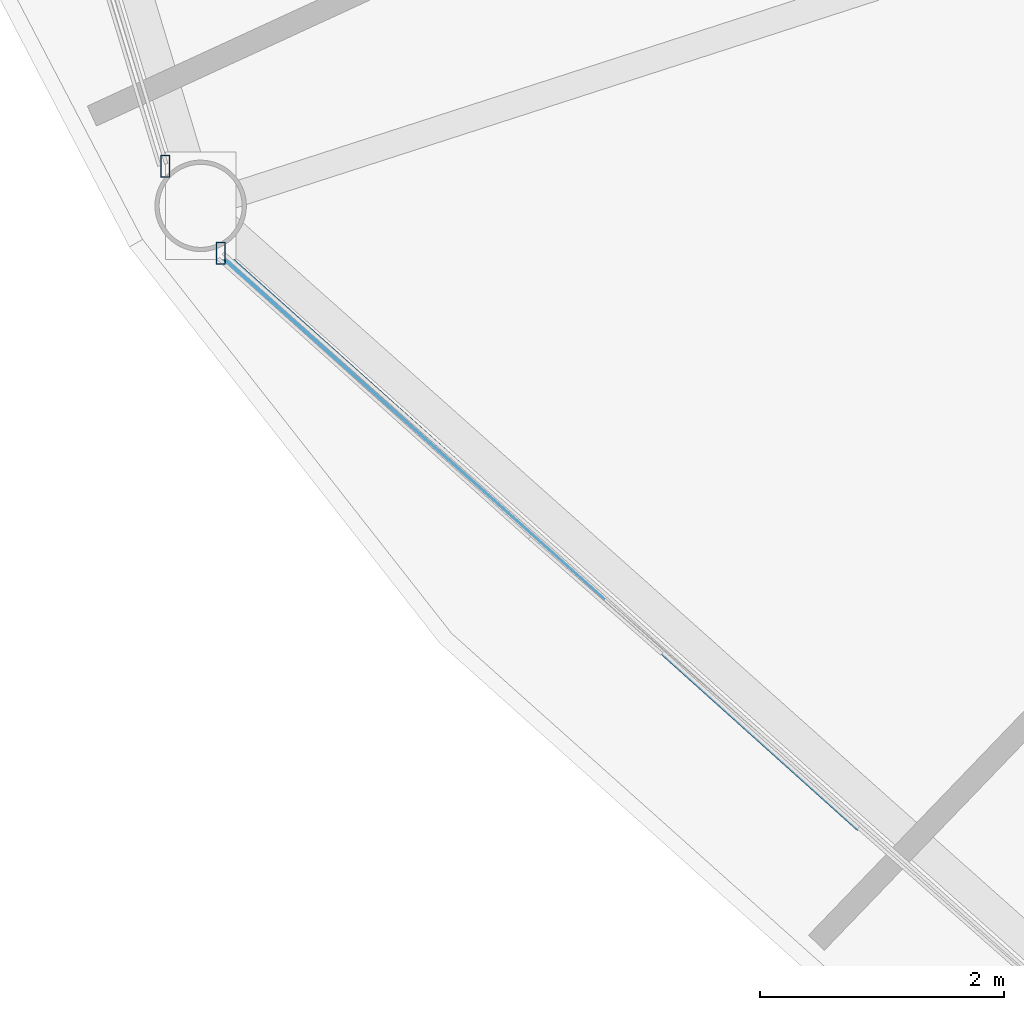
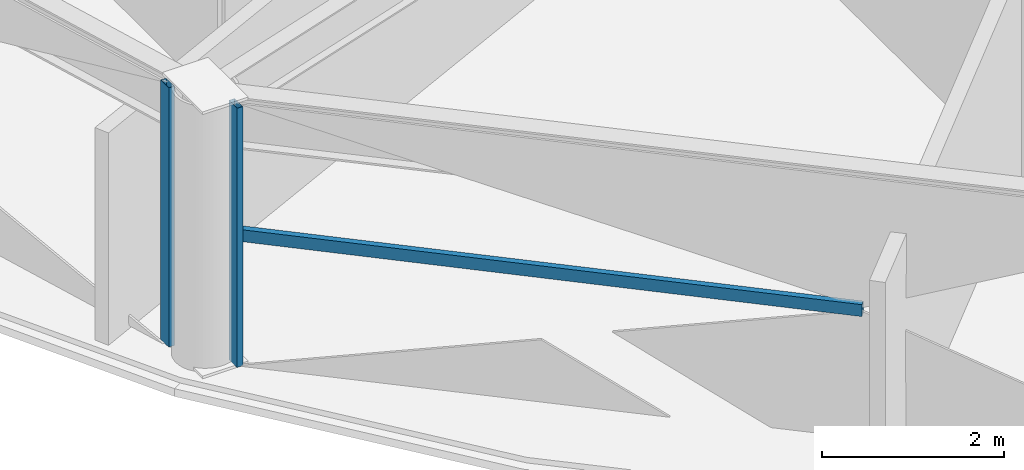
# One storey, part 3 of 30: 3 members, 2 elements without a shape of their own.
"""IFC4 building model written with IfcOpenShell, lengths in metres."""

from ifc_helpers import new_model, si_unit, direction, frame, origin, origin_2d, place, context, subcontext, project, spatial, hollow_rectangle, extrude, material, layer, layer_set, material_profile, profile_set, type_object, element, aggregate, save


model = new_model("IFC4")

# Units and contexts
model_context = context("Model", 3, precision=1e-05, world=origin(), true_north=direction((0.0, 1.0)))
body_context = subcontext(model_context, "Body", "Model", "MODEL_VIEW")
ifc_project = project(units=[si_unit("LENGTHUNIT", "METRE"), si_unit("AREAUNIT", "SQUARE_METRE"), si_unit("VOLUMEUNIT", "CUBIC_METRE"), si_unit("PLANEANGLEUNIT", "RADIAN"), si_unit("MASSUNIT", "GRAM", prefix="KILO")], contexts=[model_context])

# Site, building, storey
site_placement = place(None, origin())
site = spatial("IfcSite", under=ifc_project, at=site_placement, CompositionType="ELEMENT")
building_placement = place(site_placement, origin())
building = spatial("IfcBuilding", under=site, at=building_placement, Name="Vantalir Tower", CompositionType="ELEMENT")
storey_placement = place(building_placement, frame((0.0, 0.0, 153.449951171875)))
storey = spatial("IfcBuildingStorey", under=building, at=storey_placement, Name="L38", CompositionType="ELEMENT", Elevation=153.449951171875)

# Curtain wall, member
ifc_material_1 = material(Name="Champagne-silver PVDF aluminium and double-silver Low-E glass", Category="aluminium")
ifc_layer = layer(ifc_material_1, 0.199951171875)
ifc_layer_set = layer_set([ifc_layer], Name="Champagne-silver PVDF aluminium and double-silver Low-E glass")
curtain_wall_type = type_object("IfcCurtainWallType", Name="CW-DIAMOND-Z2", PredefinedType="USERDEFINED", material=ifc_layer_set)
curtain_wall_1_placement = place(storey_placement, origin())
curtain_wall_1 = element("IfcCurtainWall", 1, at=curtain_wall_1_placement, inside=storey, type_object=curtain_wall_type, Name="L38 Quilted Pyramid-Diamond Curtain Wall S07", ObjectType="UNITISED CURTAIN WALL", PredefinedType="USERDEFINED")
ifc_material_2 = material(Name="Champagne-silver PVDF aluminium 6063-T6", Category="aluminium")
ifc_material_profile_1 = material_profile(ifc_material_2, hollow_rectangle(XDim=0.074951171875, YDim=0.179931640625, WallThickness=0.00390625, at=origin_2d()), Name="Champagne-silver PVDF aluminium 6063-T6")
ifc_profile_set_1 = profile_set([ifc_material_profile_1], Name="Champagne-silver PVDF aluminium 6063-T6")
member_type_1 = type_object("IfcMemberType", Name="CWM-180x75", PredefinedType="MULLION", material=ifc_profile_set_1)
member_1_placement = place(storey_placement, frame((9.74609375, 14.291015625, 0.045166015625), z_axis=(0.0, 0.0, 1.0), x_axis=(1.0, 0.0, 0.0)))
member_1 = element("IfcMember", 2, at=member_1_placement, type_object=member_type_1, Name="CW-L38-S07 Mullion 2", PredefinedType="MULLION", context=body_context, shape_type="SweptSolid", body=[
    extrude(hollow_rectangle(XDim=0.074951171875, YDim=0.179931640625, WallThickness=0.00390625, at=origin_2d()), origin(), (0.0, 0.0, 1.0), 3.47998046875),
])
aggregate(curtain_wall_1, [member_1])

# Curtain wall, members
curtain_wall_2_placement = place(storey_placement, origin())
curtain_wall_2 = element("IfcCurtainWall", 3, at=curtain_wall_2_placement, inside=storey, type_object=curtain_wall_type, Name="L38 Quilted Pyramid-Diamond Curtain Wall S08", ObjectType="UNITISED CURTAIN WALL", PredefinedType="USERDEFINED")
member_2_placement = place(storey_placement, frame((10.200927734375, 13.576904296875, 0.045166015625), z_axis=(0.0, 0.0, 1.0), x_axis=(1.0, 0.0, 0.0)))
member_2 = element("IfcMember", 4, at=member_2_placement, type_object=member_type_1, Name="CW-L38-S08 Mullion 1", PredefinedType="MULLION", context=body_context, shape_type="SweptSolid", body=[
    extrude(hollow_rectangle(XDim=0.074951171875, YDim=0.179931640625, WallThickness=0.00390625, at=origin_2d()), origin(), (0.0, 0.0, 1.0), 3.47998046875),
])
ifc_material_profile_2 = material_profile(ifc_material_2, hollow_rectangle(XDim=0.074951171875, YDim=0.159912109375, WallThickness=0.00390625, at=origin_2d()), Name="Champagne-silver PVDF aluminium 6063-T6")
ifc_profile_set_2 = profile_set([ifc_material_profile_2], Name="Champagne-silver PVDF aluminium 6063-T6")
member_type_2 = type_object("IfcMemberType", Name="CWT-160x75", PredefinedType="USERDEFINED", material=ifc_profile_set_2)
member_3_placement = place(storey_placement, frame((10.200927734375, 13.576904296875, 1.78515625), z_axis=(0.744282479316, -0.66786494966, 0.0), x_axis=(0.66786494966, 0.744282479316, 0.0)))
member_3 = element("IfcMember", 5, at=member_3_placement, type_object=member_type_2, Name="CW-L38-S08 Pyramid Fold Ridge Transom", ObjectType="TRANSOM", PredefinedType="USERDEFINED", context=body_context, shape_type="SweptSolid", body=[
    extrude(hollow_rectangle(XDim=0.074951171875, YDim=0.159912109375, WallThickness=0.00390625, at=origin_2d()), origin(), (0.0, 0.0, 1.0), 7.044677734375),
])
aggregate(curtain_wall_2, [member_2, member_3])

save(model, "model.ifc")
